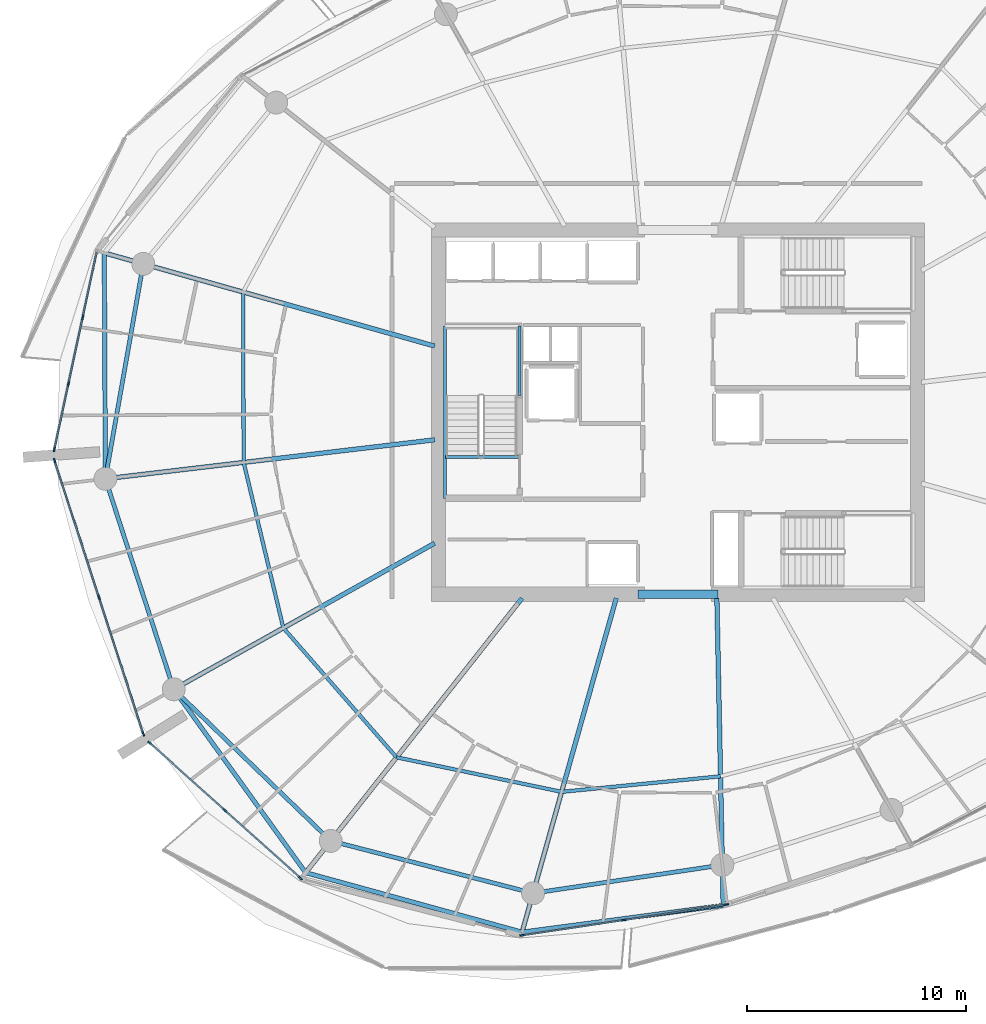
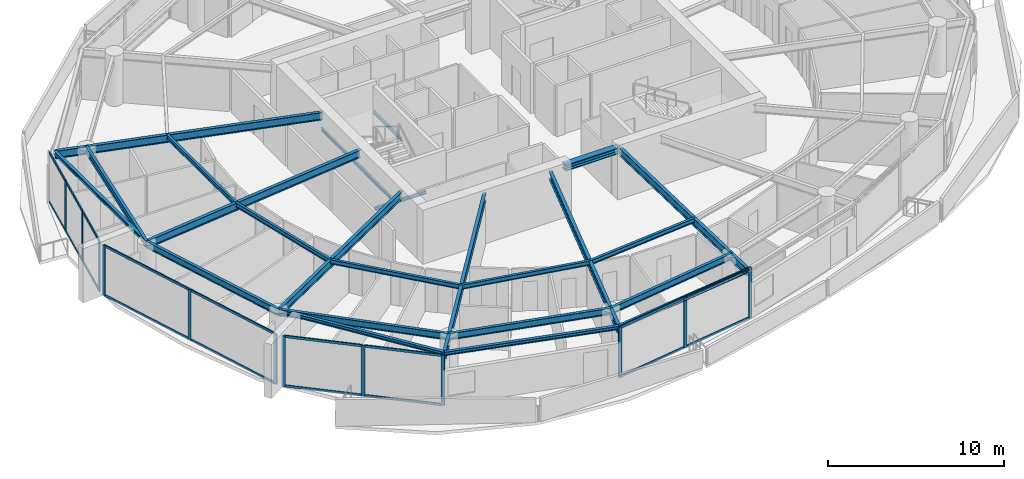
# One storey, part 5 of 21: 30 members, 24 beams, 4 elements without a shape of their own.
"""IFC4 building model written with IfcOpenShell, lengths in metres."""

from ifc_helpers import new_model, si_unit, direction, frame, origin, origin_2d, place, context, subcontext, project, spatial, rectangle, i_section, extrude, material, layer, layer_set, material_profile, profile_set, type_object, element, aggregate, save


model = new_model("IFC4")

# Units and contexts
model_context = context("Model", 3, precision=1e-05, world=origin(), true_north=direction((0.0, 1.0)))
body_context = subcontext(model_context, "Body", "Model", "MODEL_VIEW")
ifc_project = project(units=[si_unit("LENGTHUNIT", "METRE"), si_unit("AREAUNIT", "SQUARE_METRE"), si_unit("VOLUMEUNIT", "CUBIC_METRE"), si_unit("PLANEANGLEUNIT", "RADIAN"), si_unit("MASSUNIT", "GRAM", prefix="KILO")], contexts=[model_context])

# Site, building, storey
site_placement = place(None, origin())
site = spatial("IfcSite", under=ifc_project, at=site_placement, CompositionType="ELEMENT")
building_placement = place(site_placement, origin())
building = spatial("IfcBuilding", under=site, at=building_placement, Name="Kazma Halo Residences", CompositionType="ELEMENT")
storey_placement = place(building_placement, frame((0.0, 0.0, 184.050048828125)))
storey = spatial("IfcBuildingStorey", under=building, at=storey_placement, Name="L46", CompositionType="ELEMENT", Elevation=184.050048828125)

# Beams
ifc_material_1 = material(Name="Steel S355", Category="steel")
ifc_material_profile_1 = material_profile(ifc_material_1, i_section(OverallWidth=0.201904296875, OverallDepth=0.2470703125, WebThickness=0.00732421875, FlangeThickness=0.010986328125, FilletRadius=0.011962890625, at=origin_2d()), Name="W250x49.1")
ifc_profile_set_1 = profile_set([ifc_material_profile_1], Name="Steel S355")
beam_type_1 = type_object("IfcBeamType", Name="BM-BAL-CANT", PredefinedType="BEAM", material=ifc_profile_set_1)
for number, where, z_axis, x_axis, name in (
    (1, (22.19970703125, 49.276611328125, 3.37646484375), (0.004705663334, -0.999988928305, 0.0), (0.999988928305, 0.004705663334, 0.0), "L46 wave-balcony tie beam 07"),
    (2, (25.375, 29.329345703125, 3.37646484375), (0.583963922576, -0.811779611181, 0.0), (0.811779611181, 0.583963922576, 0.0), "L46 wave-balcony lead tie beam 09"),
):
    element("IfcBeam", number, at=place(storey_placement, frame(where, z_axis=z_axis, x_axis=x_axis)), inside=storey, type_object=beam_type_1, Name=name, PredefinedType="BEAM", context=body_context, shape_type="SweptSolid", body=[
        extrude(i_section(OverallWidth=0.201904296875, OverallDepth=0.2470703125, WebThickness=0.00732421875, FlangeThickness=0.010986328125, FilletRadius=0.011962890625, at=origin_2d()), origin(), (0.0, 0.0, 1.0), 10.324462890625),
    ])
beam_1_placement = place(storey_placement, frame((31.404052734375, 20.9482421875, 3.37646484375), z_axis=(0.964197026197, -0.265186905169, 0.0), x_axis=(0.265186905169, 0.964197026197, 0.0)))
element("IfcBeam", 3, at=beam_1_placement, inside=storey, type_object=beam_type_1, Name="L46 wave-balcony tie beam 10", PredefinedType="BEAM", context=body_context, shape_type="SweptSolid", body=[
    extrude(i_section(OverallWidth=0.201904296875, OverallDepth=0.2470703125, WebThickness=0.00732421875, FlangeThickness=0.010986328125, FilletRadius=0.011962890625, at=origin_2d()), origin(), (0.0, 0.0, 1.0), 10.258544921875),
])
beam_2_placement = place(storey_placement, frame((41.29541015625, 18.227783203125, 3.37646484375), z_axis=(0.99126671613, 0.131872277199, 0.0), x_axis=(-0.131872277199, 0.99126671613, 0.0)))
element("IfcBeam", 4, at=beam_2_placement, inside=storey, type_object=beam_type_1, Name="L46 wave-balcony tie beam 11", PredefinedType="BEAM", context=body_context, shape_type="SweptSolid", body=[
    extrude(i_section(OverallWidth=0.201904296875, OverallDepth=0.2470703125, WebThickness=0.00732421875, FlangeThickness=0.010986328125, FilletRadius=0.011962890625, at=origin_2d()), origin(), (0.0, 0.0, 1.0), 9.2734375),
])
ifc_material_profile_2 = material_profile(ifc_material_1, i_section(OverallWidth=0.408935546875, OverallDepth=0.425048828125, WebThickness=0.03271484375, FlangeThickness=0.052490234375, FilletRadius=0.02001953125, at=origin_2d()), Name="W360x421")
ifc_profile_set_2 = profile_set([ifc_material_profile_2], Name="Steel S355")
beam_type_2 = type_object("IfcBeamType", Name="BM-CORE-W360H", PredefinedType="BEAM", material=ifc_profile_set_2)
beam_3_placement = place(storey_placement, frame((46.60009765625, 33.675048828125, 3.287353515625), z_axis=(1.0, 0.0, 0.0), x_axis=(0.0, 1.0, 0.0)))
element("IfcBeam", 5, at=beam_3_placement, inside=storey, type_object=beam_type_2, Name="L46 core coupling beam S", PredefinedType="BEAM", context=body_context, shape_type="SweptSolid", body=[
    extrude(i_section(OverallWidth=0.408935546875, OverallDepth=0.425048828125, WebThickness=0.03271484375, FlangeThickness=0.052490234375, FilletRadius=0.02001953125, at=origin_2d()), origin(), (0.0, 0.0, 1.0), 3.64990234375),
])
ifc_material_profile_3 = material_profile(ifc_material_1, i_section(OverallWidth=0.208984375, OverallDepth=0.532958984375, WebThickness=0.01025390625, FlangeThickness=0.015625, FilletRadius=0.01611328125, at=origin_2d()), Name="W530x92")
ifc_profile_set_3 = profile_set([ifc_material_profile_3], Name="Steel S355")
beam_type_3 = type_object("IfcBeamType", Name="BM-RAD-W530", PredefinedType="BEAM", material=ifc_profile_set_3)
beam_4_placement = place(storey_placement, frame((37.300048828125, 45.017578125, 3.2333984375), z_axis=(-0.962450301448, 0.271457947467, 0.0), x_axis=(-0.271457947467, -0.962450301448, 0.0)))
element("IfcBeam", 6, at=beam_4_placement, inside=storey, type_object=beam_type_3, Name="L46 radial floor beam 07", PredefinedType="BEAM", context=body_context, shape_type="SweptSolid", body=[
    extrude(i_section(OverallWidth=0.208984375, OverallDepth=0.532958984375, WebThickness=0.01025390625, FlangeThickness=0.015625, FilletRadius=0.01611328125, at=origin_2d()), origin(), (0.0, 0.0, 1.0), 15.689453125),
])
beam_5_placement = place(storey_placement, frame((37.300048828125, 40.733642578125, 3.2333984375), z_axis=(-0.993068447674, -0.117537475875, 0.0), x_axis=(0.117537475875, -0.993068447674, 0.0)))
element("IfcBeam", 7, at=beam_5_placement, inside=storey, type_object=beam_type_3, Name="L46 radial floor beam 08", PredefinedType="BEAM", context=body_context, shape_type="SweptSolid", body=[
    extrude(i_section(OverallWidth=0.208984375, OverallDepth=0.532958984375, WebThickness=0.01025390625, FlangeThickness=0.015625, FilletRadius=0.01611328125, at=origin_2d()), origin(), (0.0, 0.0, 1.0), 15.15673828125),
])
beam_6_placement = place(storey_placement, frame((37.300048828125, 36.0078125, 3.2333984375), z_axis=(-0.872492308718, -0.488627845327, 0.0), x_axis=(0.488627845327, -0.872492308718, 0.0)))
element("IfcBeam", 8, at=beam_6_placement, inside=storey, type_object=beam_type_3, Name="L46 radial floor beam 09", PredefinedType="BEAM", context=body_context, shape_type="SweptSolid", body=[
    extrude(i_section(OverallWidth=0.208984375, OverallDepth=0.532958984375, WebThickness=0.01025390625, FlangeThickness=0.015625, FilletRadius=0.01611328125, at=origin_2d()), origin(), (0.0, 0.0, 1.0), 13.667724609375),
])
beam_7_placement = place(storey_placement, frame((41.299072265625, 33.5, 3.2333984375), z_axis=(-0.61909439419, -0.785316580165, 0.0), x_axis=(0.785316580165, -0.61909439419, 0.0)))
element("IfcBeam", 9, at=beam_7_placement, inside=storey, type_object=beam_type_3, Name="L46 radial floor beam 10", PredefinedType="BEAM", context=body_context, shape_type="SweptSolid", body=[
    extrude(i_section(OverallWidth=0.208984375, OverallDepth=0.532958984375, WebThickness=0.01025390625, FlangeThickness=0.015625, FilletRadius=0.01611328125, at=origin_2d()), origin(), (0.0, 0.0, 1.0), 15.983154296875),
])
beam_8_placement = place(storey_placement, frame((45.602783203125, 33.5, 3.2333984375), z_axis=(-0.271449932859, -0.962452561922, 0.0), x_axis=(0.962452561922, -0.271449932859, 0.0)))
element("IfcBeam", 10, at=beam_8_placement, inside=storey, type_object=beam_type_3, Name="L46 radial floor beam 11", PredefinedType="BEAM", context=body_context, shape_type="SweptSolid", body=[
    extrude(i_section(OverallWidth=0.208984375, OverallDepth=0.532958984375, WebThickness=0.01025390625, FlangeThickness=0.015625, FilletRadius=0.01611328125, at=origin_2d()), origin(), (0.0, 0.0, 1.0), 15.867919921875),
])
beam_9_placement = place(storey_placement, frame((50.199951171875, 33.5, 3.2333984375), z_axis=(0.020483658838, -0.99979018785, 0.0), x_axis=(0.99979018785, 0.020483658838, 0.0)))
element("IfcBeam", 11, at=beam_9_placement, inside=storey, type_object=beam_type_3, Name="L46 radial floor beam 12", PredefinedType="BEAM", context=body_context, shape_type="SweptSolid", body=[
    extrude(i_section(OverallWidth=0.208984375, OverallDepth=0.532958984375, WebThickness=0.01025390625, FlangeThickness=0.015625, FilletRadius=0.01611328125, at=origin_2d()), origin(), (0.0, 0.0, 1.0), 14.05224609375),
])
ifc_material_profile_4 = material_profile(ifc_material_1, i_section(OverallWidth=0.1650390625, OverallDepth=0.31005859375, WebThickness=0.005859375, FlangeThickness=0.009765625, FilletRadius=0.011962890625, at=origin_2d()), Name="W310x38.7")
ifc_profile_set_4 = profile_set([ifc_material_profile_4], Name="Steel S355")
beam_type_4 = type_object("IfcBeamType", Name="BM-SEC-W310B", PredefinedType="JOIST", material=ifc_profile_set_4)
beam_10_placement = place(storey_placement, frame((28.5419921875, 47.48779296875, 3.344970703125), z_axis=(0.003605218278, -0.999993501179, 0.0), x_axis=(0.999993501179, 0.003605218278, 0.0)))
element("IfcBeam", 12, at=beam_10_placement, inside=storey, type_object=beam_type_4, Name="L46 circumferential floor joist 07", PredefinedType="JOIST", context=body_context, shape_type="SweptSolid", body=[
    extrude(i_section(OverallWidth=0.1650390625, OverallDepth=0.31005859375, WebThickness=0.005859375, FlangeThickness=0.009765625, FilletRadius=0.011962890625, at=origin_2d()), origin(), (0.0, 0.0, 1.0), 7.78759765625),
])
beam_11_placement = place(storey_placement, frame((28.570068359375, 39.7001953125, 3.344970703125), z_axis=(0.233058429286, -0.972462733753, 0.0), x_axis=(0.972462733753, 0.233058429286, 0.0)))
element("IfcBeam", 13, at=beam_11_placement, inside=storey, type_object=beam_type_4, Name="L46 circumferential floor joist 08", PredefinedType="JOIST", context=body_context, shape_type="SweptSolid", body=[
    extrude(i_section(OverallWidth=0.1650390625, OverallDepth=0.31005859375, WebThickness=0.005859375, FlangeThickness=0.009765625, FilletRadius=0.011962890625, at=origin_2d()), origin(), (0.0, 0.0, 1.0), 7.7802734375),
])
beam_12_placement = place(storey_placement, frame((30.38330078125, 32.13427734375, 3.344970703125), z_axis=(0.658629944618, -0.75246700662, 0.0), x_axis=(0.75246700662, 0.658629944618, 0.0)))
element("IfcBeam", 14, at=beam_12_placement, inside=storey, type_object=beam_type_4, Name="L46 circumferential floor joist 09", PredefinedType="JOIST", context=body_context, shape_type="SweptSolid", body=[
    extrude(i_section(OverallWidth=0.1650390625, OverallDepth=0.31005859375, WebThickness=0.005859375, FlangeThickness=0.009765625, FilletRadius=0.011962890625, at=origin_2d()), origin(), (0.0, 0.0, 1.0), 7.85986328125),
])
beam_13_placement = place(storey_placement, frame((35.56005859375, 26.219970703125, 3.344970703125), z_axis=(0.978821484976, -0.204715657802, 0.0), x_axis=(0.204715657802, 0.978821484976, 0.0)))
element("IfcBeam", 15, at=beam_13_placement, inside=storey, type_object=beam_type_4, Name="L46 circumferential floor joist 10", PredefinedType="JOIST", context=body_context, shape_type="SweptSolid", body=[
    extrude(i_section(OverallWidth=0.1650390625, OverallDepth=0.31005859375, WebThickness=0.005859375, FlangeThickness=0.009765625, FilletRadius=0.011962890625, at=origin_2d()), origin(), (0.0, 0.0, 1.0), 7.707763671875),
])
beam_14_placement = place(storey_placement, frame((43.1044921875, 24.64208984375, 3.344970703125), z_axis=(0.995262165401, 0.097227681872, 0.0), x_axis=(-0.097227681872, 0.995262165401, 0.0)))
element("IfcBeam", 16, at=beam_14_placement, inside=storey, type_object=beam_type_4, Name="L46 circumferential floor joist 11", PredefinedType="JOIST", context=body_context, shape_type="SweptSolid", body=[
    extrude(i_section(OverallWidth=0.1650390625, OverallDepth=0.31005859375, WebThickness=0.005859375, FlangeThickness=0.009765625, FilletRadius=0.011962890625, at=origin_2d()), origin(), (0.0, 0.0, 1.0), 7.297119140625),
])
ifc_material_profile_5 = material_profile(ifc_material_1, i_section(OverallWidth=0.18994140625, OverallDepth=0.45703125, WebThickness=0.009033203125, FlangeThickness=0.014404296875, FilletRadius=0.01611328125, at=origin_2d()), Name="W460x74")
ifc_profile_set_5 = profile_set([ifc_material_profile_5], Name="Steel S355")
beam_type_5 = type_object("IfcBeamType", Name="BM-SPN-W460", PredefinedType="BEAM", material=ifc_profile_set_5)
beam_15_placement = place(storey_placement, frame((23.980224609375, 48.7744140625, 3.271484375), z_axis=(-0.173648484202, -0.984807698962, 0.0), x_axis=(0.984807698962, -0.173648484202, 0.0)))
element("IfcBeam", 17, at=beam_15_placement, inside=storey, type_object=beam_type_5, Name="L46 perimeter ring beam 07", PredefinedType="BEAM", context=body_context, shape_type="SweptSolid", body=[
    extrude(i_section(OverallWidth=0.18994140625, OverallDepth=0.45703125, WebThickness=0.009033203125, FlangeThickness=0.014404296875, FilletRadius=0.01611328125, at=origin_2d()), origin(), (0.0, 0.0, 1.0), 9.973876953125),
])
beam_16_placement = place(storey_placement, frame((22.248291015625, 38.9521484375, 3.271484375), z_axis=(0.309023327426, -0.951054458539, 0.0), x_axis=(0.951054458539, 0.309023327426, 0.0)))
element("IfcBeam", 18, at=beam_16_placement, inside=storey, type_object=beam_type_5, Name="L46 perimeter ring beam 08", PredefinedType="BEAM", context=body_context, shape_type="SweptSolid", body=[
    extrude(i_section(OverallWidth=0.18994140625, OverallDepth=0.45703125, WebThickness=0.009033203125, FlangeThickness=0.014404296875, FilletRadius=0.01611328125, at=origin_2d()), origin(), (0.0, 0.0, 1.0), 10.117919921875),
])
beam_17_placement = place(storey_placement, frame((25.375, 29.329345703125, 3.271484375), z_axis=(0.71933650181, -0.694661786169, 0.0), x_axis=(0.694661786169, 0.71933650181, 0.0)))
element("IfcBeam", 19, at=beam_17_placement, inside=storey, type_object=beam_type_5, Name="L46 perimeter ring beam 09", PredefinedType="BEAM", context=body_context, shape_type="SweptSolid", body=[
    extrude(i_section(OverallWidth=0.18994140625, OverallDepth=0.45703125, WebThickness=0.009033203125, FlangeThickness=0.014404296875, FilletRadius=0.01611328125, at=origin_2d()), origin(), (0.0, 0.0, 1.0), 9.9736328125),
])
beam_18_placement = place(storey_placement, frame((32.54931640625, 22.401123046875, 3.271484375), z_axis=(0.968120950739, -0.25048318255, 0.0), x_axis=(0.25048318255, 0.968120950739, 0.0)))
element("IfcBeam", 20, at=beam_18_placement, inside=storey, type_object=beam_type_5, Name="L46 perimeter ring beam 10", PredefinedType="BEAM", context=body_context, shape_type="SweptSolid", body=[
    extrude(i_section(OverallWidth=0.18994140625, OverallDepth=0.45703125, WebThickness=0.009033203125, FlangeThickness=0.014404296875, FilletRadius=0.01611328125, at=origin_2d()), origin(), (0.0, 0.0, 1.0), 9.552734375),
])
beam_19_placement = place(storey_placement, frame((41.797607421875, 20.00830078125, 3.271484375), z_axis=(0.98903439143, 0.147685383732, 0.0), x_axis=(-0.147685383732, 0.98903439143, 0.0)))
element("IfcBeam", 21, at=beam_19_placement, inside=storey, type_object=beam_type_5, Name="L46 perimeter ring beam 11", PredefinedType="BEAM", context=body_context, shape_type="SweptSolid", body=[
    extrude(i_section(OverallWidth=0.18994140625, OverallDepth=0.45703125, WebThickness=0.009033203125, FlangeThickness=0.014404296875, FilletRadius=0.01611328125, at=origin_2d()), origin(), (0.0, 0.0, 1.0), 8.748291015625),
])
ifc_material_profile_6 = material_profile(ifc_material_1, i_section(OverallWidth=0.133056640625, OverallDepth=0.20703125, WebThickness=0.005859375, FlangeThickness=0.00830078125, FilletRadius=0.010009765625, at=origin_2d()), Name="W200x26.6")
ifc_profile_set_6 = profile_set([ifc_material_profile_6], Name="Steel S355")
beam_type_6 = type_object("IfcBeamType", Name="BM-TRIM-W200", PredefinedType="BEAM", material=ifc_profile_set_6)
beam_20_placement = place(storey_placement, frame((37.800048828125, 39.949951171875, -0.360107421875), z_axis=(1.0, 0.0, 0.0), x_axis=(0.0, 1.0, 0.0)))
element("IfcBeam", 22, at=beam_20_placement, inside=storey, type_object=beam_type_6, Name="L46 ST-01 floor landing support beam", PredefinedType="BEAM", context=body_context, shape_type="SweptSolid", body=[
    extrude(i_section(OverallWidth=0.133056640625, OverallDepth=0.20703125, WebThickness=0.005859375, FlangeThickness=0.00830078125, FilletRadius=0.010009765625, at=origin_2d()), origin(), (0.0, 0.0, 1.0), 3.3798828125),
])
beam_21_placement = place(storey_placement, frame((37.780029296875, 38.06005859375, 1.570068359375), z_axis=(0.0, 1.0, 0.0), x_axis=(-1.0, 0.0, 0.0)))
element("IfcBeam", 23, at=beam_21_placement, inside=storey, type_object=beam_type_6, Name="L46 ST-01 landing west wall ledger", PredefinedType="BEAM", context=body_context, shape_type="SweptSolid", body=[
    extrude(i_section(OverallWidth=0.133056640625, OverallDepth=0.20703125, WebThickness=0.005859375, FlangeThickness=0.00830078125, FilletRadius=0.010009765625, at=origin_2d()), origin(), (0.0, 0.0, 1.0), 7.8798828125),
])
beam_22_placement = place(storey_placement, frame((41.179931640625, 42.75, 1.570068359375), z_axis=(0.0, 1.0, 0.0), x_axis=(-1.0, 0.0, 0.0)))
element("IfcBeam", 24, at=beam_22_placement, inside=storey, type_object=beam_type_6, Name="L46 ST-01 landing east wall ledger", PredefinedType="BEAM", context=body_context, shape_type="SweptSolid", body=[
    extrude(i_section(OverallWidth=0.133056640625, OverallDepth=0.20703125, WebThickness=0.005859375, FlangeThickness=0.00830078125, FilletRadius=0.010009765625, at=origin_2d()), origin(), (0.0, 0.0, 1.0), 3.18994140625),
])

# Curtain wall, members
ifc_material_2 = material(Name="Aluminium AW-6063 T6 and Triple-Silver Low-E Glass", Category="aluminium")
ifc_layer = layer(ifc_material_2, 0.219970703125)
ifc_layer_set = layer_set([ifc_layer], Name="Aluminium AW-6063 T6 and Triple-Silver Low-E Glass")
curtain_wall_type = type_object("IfcCurtainWallType", Name="CW-SYS-4", PredefinedType="NOTDEFINED", material=ifc_layer_set)
curtain_wall_1_placement = place(storey_placement, origin())
curtain_wall_1 = element("IfcCurtainWall", 25, at=curtain_wall_1_placement, inside=storey, type_object=curtain_wall_type, Name="L46 unitised curtain wall B07", PredefinedType="NOTDEFINED")
ifc_material_3 = material(Name="Aluminium AW-6063 T6", Category="aluminium")
ifc_material_profile_7 = material_profile(ifc_material_3, rectangle(XDim=0.074951171875, YDim=0.219970703125, at=origin_2d()), Name="CWM-75x220")
ifc_profile_set_7 = profile_set([ifc_material_profile_7], Name="Aluminium AW-6063 T6")
member_type_1 = type_object("IfcMemberType", Name="CW-SYS-4-MUL", PredefinedType="MULLION", material=ifc_profile_set_7)
member_1_placement = place(storey_placement, frame((21.212890625, 46.3330078125, 0.0), z_axis=(0.0, 0.0, 1.0), x_axis=(0.977768017212, -0.209689543175, 0.0)))
member_1 = element("IfcMember", 26, at=member_1_placement, type_object=member_type_1, Name="CWS-4 mullion 2", PredefinedType="MULLION", context=body_context, shape_type="SweptSolid", body=[
    extrude(rectangle(XDim=0.074951171875, YDim=0.219970703125, at=origin_2d()), origin(), (0.0, 0.0, 1.0), 3.5),
])
member_2_placement = place(storey_placement, frame((20.561279296875, 43.295166015625, 0.0), z_axis=(0.0, 0.0, 1.0), x_axis=(0.977768017212, -0.209689543175, 0.0)))
member_2 = element("IfcMember", 27, at=member_2_placement, type_object=member_type_1, Name="CWS-4 mullion 3", PredefinedType="MULLION", context=body_context, shape_type="SweptSolid", body=[
    extrude(rectangle(XDim=0.074951171875, YDim=0.219970703125, at=origin_2d()), origin(), (0.0, 0.0, 1.0), 3.5),
])
member_3_placement = place(storey_placement, frame((19.917724609375, 40.2939453125, 0.0), z_axis=(0.0, 0.0, 1.0), x_axis=(0.977768017212, -0.209689543175, 0.0)))
member_3 = element("IfcMember", 28, at=member_3_placement, type_object=member_type_1, Name="CWS-4 mullion 4", PredefinedType="MULLION", context=body_context, shape_type="SweptSolid", body=[
    extrude(rectangle(XDim=0.074951171875, YDim=0.219970703125, at=origin_2d()), origin(), (0.0, 0.0, 1.0), 3.5),
])

curtain_wall_2_placement = place(storey_placement, origin())
curtain_wall_2 = element("IfcCurtainWall", 29, at=curtain_wall_2_placement, inside=storey, type_object=curtain_wall_type, Name="L46 unitised curtain wall B08", PredefinedType="NOTDEFINED")
member_4_placement = place(storey_placement, frame((19.9287109375, 39.77880859375, 0.0), z_axis=(0.0, 0.0, 1.0), x_axis=(0.951056893636, 0.309015833038, 0.0)))
member_4 = element("IfcMember", 30, at=member_4_placement, type_object=member_type_1, Name="CWS-4 mullion 1", PredefinedType="MULLION", context=body_context, shape_type="SweptSolid", body=[
    extrude(rectangle(XDim=0.074951171875, YDim=0.219970703125, at=origin_2d()), origin(), (0.0, 0.0, 1.0), 3.5),
])
member_5_placement = place(storey_placement, frame((21.95654296875, 33.5380859375, 0.0), z_axis=(0.0, 0.0, 1.0), x_axis=(0.951056893636, 0.309015833038, 0.0)))
member_5 = element("IfcMember", 31, at=member_5_placement, type_object=member_type_1, Name="CWS-4 mullion 2", PredefinedType="MULLION", context=body_context, shape_type="SweptSolid", body=[
    extrude(rectangle(XDim=0.074951171875, YDim=0.219970703125, at=origin_2d()), origin(), (0.0, 0.0, 1.0), 3.5),
])
member_6_placement = place(storey_placement, frame((23.984375, 27.297119140625, 0.0), z_axis=(0.0, 0.0, 1.0), x_axis=(0.951056893636, 0.309015833038, 0.0)))
member_6 = element("IfcMember", 32, at=member_6_placement, type_object=member_type_1, Name="CWS-4 mullion 3", PredefinedType="MULLION", context=body_context, shape_type="SweptSolid", body=[
    extrude(rectangle(XDim=0.074951171875, YDim=0.219970703125, at=origin_2d()), origin(), (0.0, 0.0, 1.0), 3.5),
])

curtain_wall_3_placement = place(storey_placement, origin())
curtain_wall_3 = element("IfcCurtainWall", 33, at=curtain_wall_3_placement, inside=storey, type_object=curtain_wall_type, Name="L46 unitised curtain wall B09", PredefinedType="NOTDEFINED")
member_7_placement = place(storey_placement, frame((24.2783203125, 26.873779296875, 0.0), z_axis=(0.0, 0.0, 1.0), x_axis=(0.667784328806, 0.744354814723, 0.0)))
member_7 = element("IfcMember", 34, at=member_7_placement, type_object=member_type_1, Name="CWS-4 mullion 1", PredefinedType="MULLION", context=body_context, shape_type="SweptSolid", body=[
    extrude(rectangle(XDim=0.074951171875, YDim=0.219970703125, at=origin_2d()), origin(), (0.0, 0.0, 1.0), 3.5),
])
member_8_placement = place(storey_placement, frame((27.719482421875, 23.786865234375, 0.0), z_axis=(0.0, 0.0, 1.0), x_axis=(0.667784328806, 0.744354814723, 0.0)))
member_8 = element("IfcMember", 35, at=member_8_placement, type_object=member_type_1, Name="CWS-4 mullion 2", PredefinedType="MULLION", context=body_context, shape_type="SweptSolid", body=[
    extrude(rectangle(XDim=0.074951171875, YDim=0.219970703125, at=origin_2d()), origin(), (0.0, 0.0, 1.0), 3.5),
])
member_9_placement = place(storey_placement, frame((31.160400390625, 20.69970703125, 0.0), z_axis=(0.0, 0.0, 1.0), x_axis=(0.667784328806, 0.744354814723, 0.0)))
member_9 = element("IfcMember", 36, at=member_9_placement, type_object=member_type_1, Name="CWS-4 mullion 3", PredefinedType="MULLION", context=body_context, shape_type="SweptSolid", body=[
    extrude(rectangle(XDim=0.074951171875, YDim=0.219970703125, at=origin_2d()), origin(), (0.0, 0.0, 1.0), 3.5),
])

curtain_wall_4_placement = place(storey_placement, origin())
curtain_wall_4 = element("IfcCurtainWall", 37, at=curtain_wall_4_placement, inside=storey, type_object=curtain_wall_type, Name="L46 unitised curtain wall B11", PredefinedType="NOTDEFINED")
member_10_placement = place(storey_placement, frame((41.291259765625, 18.086669921875, 0.0), z_axis=(0.0, 0.0, 1.0), x_axis=(-0.148772639188, 0.988871428361, 0.0)))
member_10 = element("IfcMember", 38, at=member_10_placement, type_object=member_type_1, Name="CWS-4 mullion 1", PredefinedType="MULLION", context=body_context, shape_type="SweptSolid", body=[
    extrude(rectangle(XDim=0.074951171875, YDim=0.219970703125, at=origin_2d()), origin(), (0.0, 0.0, 1.0), 3.5),
])
member_11_placement = place(storey_placement, frame((45.958740234375, 18.788818359375, 0.0), z_axis=(0.0, 0.0, 1.0), x_axis=(-0.148772639188, 0.988871428361, 0.0)))
member_11 = element("IfcMember", 39, at=member_11_placement, type_object=member_type_1, Name="CWS-4 mullion 2", PredefinedType="MULLION", context=body_context, shape_type="SweptSolid", body=[
    extrude(rectangle(XDim=0.074951171875, YDim=0.219970703125, at=origin_2d()), origin(), (0.0, 0.0, 1.0), 3.5),
])
member_12_placement = place(storey_placement, frame((50.626220703125, 19.490966796875, 0.0), z_axis=(0.0, 0.0, 1.0), x_axis=(-0.148772639188, 0.988871428361, 0.0)))
member_12 = element("IfcMember", 40, at=member_12_placement, type_object=member_type_1, Name="CWS-4 mullion 3", PredefinedType="MULLION", context=body_context, shape_type="SweptSolid", body=[
    extrude(rectangle(XDim=0.074951171875, YDim=0.219970703125, at=origin_2d()), origin(), (0.0, 0.0, 1.0), 3.5),
])

# Member
ifc_material_profile_8 = material_profile(ifc_material_3, rectangle(XDim=0.074951171875, YDim=0.1650390625, at=origin_2d()), Name="CWT-75x165")
ifc_profile_set_8 = profile_set([ifc_material_profile_8], Name="Aluminium AW-6063 T6")
member_type_2 = type_object("IfcMemberType", Name="CW-SYS-4-TRN", PredefinedType="USERDEFINED", material=ifc_profile_set_8)
member_13_placement = place(storey_placement, frame((21.8486328125, 49.297607421875, 0.037353515625), z_axis=(-0.209707268418, -0.977764215735, 0.0), x_axis=(0.977764215735, -0.209707268418, 0.0)))
member_13 = element("IfcMember", 41, at=member_13_placement, type_object=member_type_2, Name="CWS-4 transom 1.1", ObjectType="TRANSOM", PredefinedType="USERDEFINED", context=body_context, shape_type="SweptSolid", body=[
    extrude(rectangle(XDim=0.074951171875, YDim=0.1650390625, at=origin_2d()), origin(), (0.0, 0.0, 1.0), 2.994384765625),
])

member_14_placement = place(storey_placement, frame((21.8486328125, 49.297607421875, 3.46240234375), z_axis=(-0.209707268418, -0.977764215735, 0.0), x_axis=(0.977764215735, -0.209707268418, 0.0)))
member_14 = element("IfcMember", 42, at=member_14_placement, type_object=member_type_2, Name="CWS-4 transom 1.2", ObjectType="TRANSOM", PredefinedType="USERDEFINED", context=body_context, shape_type="SweptSolid", body=[
    extrude(rectangle(XDim=0.074951171875, YDim=0.1650390625, at=origin_2d()), origin(), (0.0, 0.0, 1.0), 2.994384765625),
])

member_15_placement = place(storey_placement, frame((21.205078125, 46.29638671875, 0.037353515625), z_axis=(-0.209677559804, -0.977770587057, 0.0), x_axis=(0.977770587057, -0.209677559804, 0.0)))
member_15 = element("IfcMember", 43, at=member_15_placement, type_object=member_type_2, Name="CWS-4 transom 2.1", ObjectType="TRANSOM", PredefinedType="USERDEFINED", context=body_context, shape_type="SweptSolid", body=[
    extrude(rectangle(XDim=0.074951171875, YDim=0.1650390625, at=origin_2d()), origin(), (0.0, 0.0, 1.0), 3.031982421875),
])

member_16_placement = place(storey_placement, frame((21.205078125, 46.29638671875, 3.46240234375), z_axis=(-0.209677559804, -0.977770587057, 0.0), x_axis=(0.977770587057, -0.209677559804, 0.0)))
member_16 = element("IfcMember", 44, at=member_16_placement, type_object=member_type_2, Name="CWS-4 transom 2.2", ObjectType="TRANSOM", PredefinedType="USERDEFINED", context=body_context, shape_type="SweptSolid", body=[
    extrude(rectangle(XDim=0.074951171875, YDim=0.1650390625, at=origin_2d()), origin(), (0.0, 0.0, 1.0), 3.031982421875),
])

member_17_placement = place(storey_placement, frame((20.553466796875, 43.258544921875, 0.037353515625), z_axis=(-0.209690551496, -0.97776780097, 0.0), x_axis=(0.97776780097, -0.209690551496, 0.0)))
member_17 = element("IfcMember", 45, at=member_17_placement, type_object=member_type_2, Name="CWS-4 transom 3.1", ObjectType="TRANSOM", PredefinedType="USERDEFINED", context=body_context, shape_type="SweptSolid", body=[
    extrude(rectangle(XDim=0.074951171875, YDim=0.1650390625, at=origin_2d()), origin(), (0.0, 0.0, 1.0), 2.99462890625),
])

member_18_placement = place(storey_placement, frame((20.553466796875, 43.258544921875, 3.46240234375), z_axis=(-0.209690551496, -0.97776780097, 0.0), x_axis=(0.97776780097, -0.209690551496, 0.0)))
member_18 = element("IfcMember", 46, at=member_18_placement, type_object=member_type_2, Name="CWS-4 transom 3.2", ObjectType="TRANSOM", PredefinedType="USERDEFINED", context=body_context, shape_type="SweptSolid", body=[
    extrude(rectangle(XDim=0.074951171875, YDim=0.1650390625, at=origin_2d()), origin(), (0.0, 0.0, 1.0), 2.99462890625),
])

aggregate(curtain_wall_1, [member_1, member_2, member_3, member_13, member_14, member_15, member_16, member_17, member_18])

member_19_placement = place(storey_placement, frame((19.9404296875, 39.7431640625, 0.037353515625), z_axis=(0.30902650142, -0.951053427217, 0.0), x_axis=(0.951053427217, 0.30902650142, 0.0)))
member_19 = element("IfcMember", 47, at=member_19_placement, type_object=member_type_2, Name="CWS-4 transom 1.1", ObjectType="TRANSOM", PredefinedType="USERDEFINED", context=body_context, shape_type="SweptSolid", body=[
    extrude(rectangle(XDim=0.074951171875, YDim=0.1650390625, at=origin_2d()), origin(), (0.0, 0.0, 1.0), 6.487060546875),
])

member_20_placement = place(storey_placement, frame((19.9404296875, 39.7431640625, 3.46240234375), z_axis=(0.30902650142, -0.951053427217, 0.0), x_axis=(0.951053427217, 0.30902650142, 0.0)))
member_20 = element("IfcMember", 48, at=member_20_placement, type_object=member_type_2, Name="CWS-4 transom 1.2", ObjectType="TRANSOM", PredefinedType="USERDEFINED", context=body_context, shape_type="SweptSolid", body=[
    extrude(rectangle(XDim=0.074951171875, YDim=0.1650390625, at=origin_2d()), origin(), (0.0, 0.0, 1.0), 6.487060546875),
])

member_21_placement = place(storey_placement, frame((21.968017578125, 33.50244140625, 0.037353515625), z_axis=(0.309015440644, -0.951057021132, 0.0), x_axis=(0.951057021132, 0.309015440644, 0.0)))
member_21 = element("IfcMember", 49, at=member_21_placement, type_object=member_type_2, Name="CWS-4 transom 2.1", ObjectType="TRANSOM", PredefinedType="USERDEFINED", context=body_context, shape_type="SweptSolid", body=[
    extrude(rectangle(XDim=0.074951171875, YDim=0.1650390625, at=origin_2d()), origin(), (0.0, 0.0, 1.0), 6.487060546875),
])

member_22_placement = place(storey_placement, frame((21.968017578125, 33.50244140625, 3.46240234375), z_axis=(0.309015440644, -0.951057021132, 0.0), x_axis=(0.951057021132, 0.309015440644, 0.0)))
member_22 = element("IfcMember", 50, at=member_22_placement, type_object=member_type_2, Name="CWS-4 transom 2.2", ObjectType="TRANSOM", PredefinedType="USERDEFINED", context=body_context, shape_type="SweptSolid", body=[
    extrude(rectangle(XDim=0.074951171875, YDim=0.1650390625, at=origin_2d()), origin(), (0.0, 0.0, 1.0), 6.487060546875),
])

aggregate(curtain_wall_2, [member_4, member_5, member_6, member_19, member_20, member_21, member_22])

member_23_placement = place(storey_placement, frame((24.30615234375, 26.848876953125, 0.037353515625), z_axis=(0.744344906673, -0.667795372783, 0.0), x_axis=(0.667795372783, 0.744344906673, 0.0)))
member_23 = element("IfcMember", 51, at=member_23_placement, type_object=member_type_2, Name="CWS-4 transom 1.1", ObjectType="TRANSOM", PredefinedType="USERDEFINED", context=body_context, shape_type="SweptSolid", body=[
    extrude(rectangle(XDim=0.074951171875, YDim=0.1650390625, at=origin_2d()), origin(), (0.0, 0.0, 1.0), 4.5478515625),
])

member_24_placement = place(storey_placement, frame((24.30615234375, 26.848876953125, 3.46240234375), z_axis=(0.744344906673, -0.667795372783, 0.0), x_axis=(0.667795372783, 0.744344906673, 0.0)))
member_24 = element("IfcMember", 52, at=member_24_placement, type_object=member_type_2, Name="CWS-4 transom 1.2", ObjectType="TRANSOM", PredefinedType="USERDEFINED", context=body_context, shape_type="SweptSolid", body=[
    extrude(rectangle(XDim=0.074951171875, YDim=0.1650390625, at=origin_2d()), origin(), (0.0, 0.0, 1.0), 4.5478515625),
])

member_25_placement = place(storey_placement, frame((27.747314453125, 23.76171875, 0.037353515625), z_axis=(0.744344906673, -0.667795372783, 0.0), x_axis=(0.667795372783, 0.744344906673, 0.0)))
member_25 = element("IfcMember", 53, at=member_25_placement, type_object=member_type_2, Name="CWS-4 transom 2.1", ObjectType="TRANSOM", PredefinedType="USERDEFINED", context=body_context, shape_type="SweptSolid", body=[
    extrude(rectangle(XDim=0.074951171875, YDim=0.1650390625, at=origin_2d()), origin(), (0.0, 0.0, 1.0), 4.5478515625),
])

member_26_placement = place(storey_placement, frame((27.747314453125, 23.76171875, 3.46240234375), z_axis=(0.744344906673, -0.667795372783, 0.0), x_axis=(0.667795372783, 0.744344906673, 0.0)))
member_26 = element("IfcMember", 54, at=member_26_placement, type_object=member_type_2, Name="CWS-4 transom 2.2", ObjectType="TRANSOM", PredefinedType="USERDEFINED", context=body_context, shape_type="SweptSolid", body=[
    extrude(rectangle(XDim=0.074951171875, YDim=0.1650390625, at=origin_2d()), origin(), (0.0, 0.0, 1.0), 4.5478515625),
])

aggregate(curtain_wall_3, [member_7, member_8, member_9, member_23, member_24, member_25, member_26])

member_27_placement = place(storey_placement, frame((41.328369140625, 18.092041015625, 0.037353515625), z_axis=(0.988867623216, 0.148797929272, 0.0), x_axis=(-0.148797929272, 0.988867623216, 0.0)))
member_27 = element("IfcMember", 55, at=member_27_placement, type_object=member_type_2, Name="CWS-4 transom 1.1", ObjectType="TRANSOM", PredefinedType="USERDEFINED", context=body_context, shape_type="SweptSolid", body=[
    extrude(rectangle(XDim=0.074951171875, YDim=0.1650390625, at=origin_2d()), origin(), (0.0, 0.0, 1.0), 4.64501953125),
])

member_28_placement = place(storey_placement, frame((41.328369140625, 18.092041015625, 3.46240234375), z_axis=(0.988867623216, 0.148797929272, 0.0), x_axis=(-0.148797929272, 0.988867623216, 0.0)))
member_28 = element("IfcMember", 56, at=member_28_placement, type_object=member_type_2, Name="CWS-4 transom 1.2", ObjectType="TRANSOM", PredefinedType="USERDEFINED", context=body_context, shape_type="SweptSolid", body=[
    extrude(rectangle(XDim=0.074951171875, YDim=0.1650390625, at=origin_2d()), origin(), (0.0, 0.0, 1.0), 4.64501953125),
])

member_29_placement = place(storey_placement, frame((45.995849609375, 18.79443359375, 0.037353515625), z_axis=(0.988876518566, 0.148738801357, 0.0), x_axis=(-0.148738801357, 0.988876518566, 0.0)))
member_29 = element("IfcMember", 57, at=member_29_placement, type_object=member_type_2, Name="CWS-4 transom 2.1", ObjectType="TRANSOM", PredefinedType="USERDEFINED", context=body_context, shape_type="SweptSolid", body=[
    extrude(rectangle(XDim=0.074951171875, YDim=0.1650390625, at=origin_2d()), origin(), (0.0, 0.0, 1.0), 4.645263671875),
])

member_30_placement = place(storey_placement, frame((45.995849609375, 18.79443359375, 3.46240234375), z_axis=(0.988876518566, 0.148738801357, 0.0), x_axis=(-0.148738801357, 0.988876518566, 0.0)))
member_30 = element("IfcMember", 58, at=member_30_placement, type_object=member_type_2, Name="CWS-4 transom 2.2", ObjectType="TRANSOM", PredefinedType="USERDEFINED", context=body_context, shape_type="SweptSolid", body=[
    extrude(rectangle(XDim=0.074951171875, YDim=0.1650390625, at=origin_2d()), origin(), (0.0, 0.0, 1.0), 4.645263671875),
])

aggregate(curtain_wall_4, [member_10, member_11, member_12, member_27, member_28, member_29, member_30])

save(model, "model.ifc")
